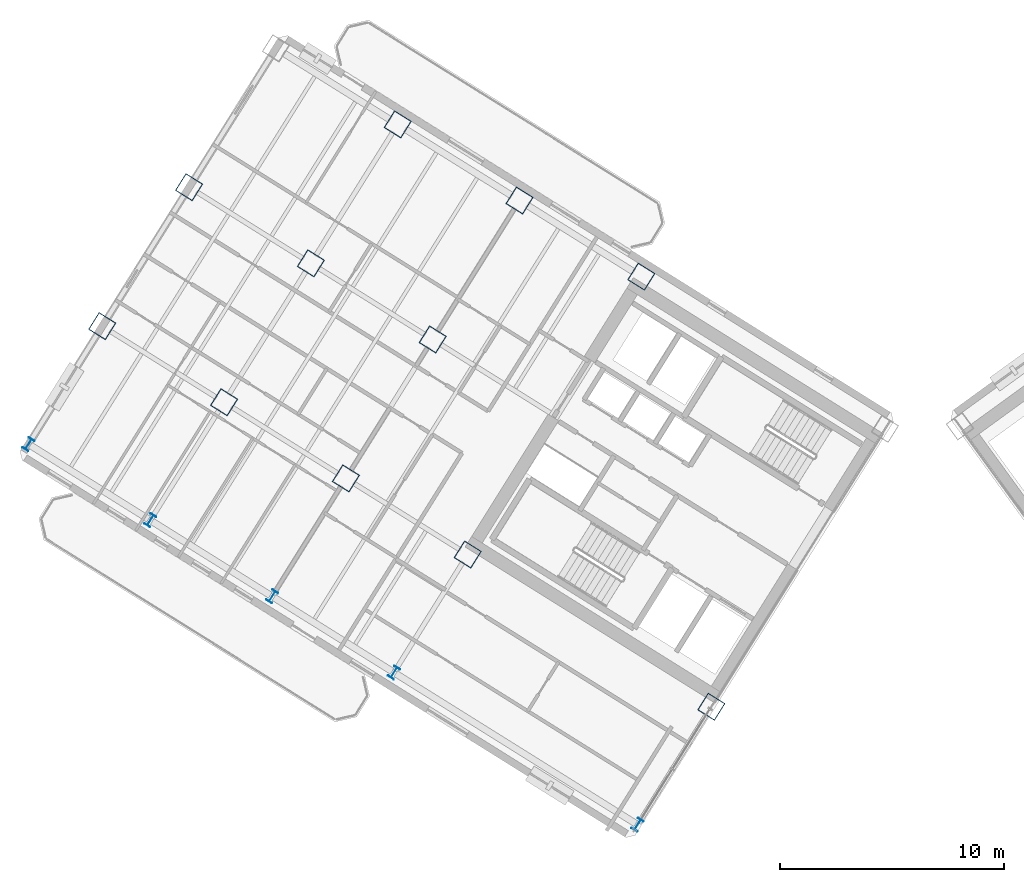
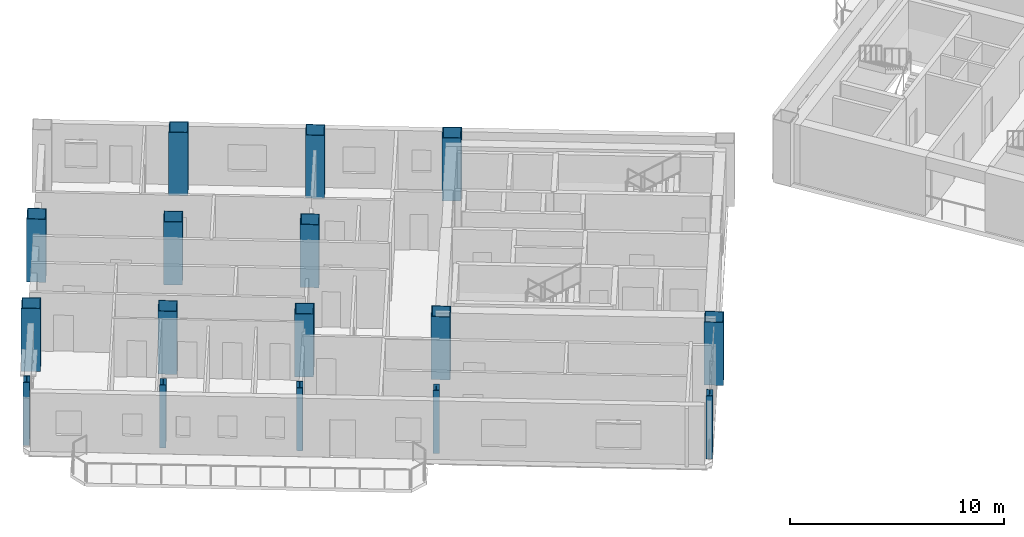
# One storey, part 1 of 19: 16 columns.
"""IFC4 building model written with IfcOpenShell, lengths in metres."""

import ifcopenshell
import ifcopenshell.guid

model = None  # the IFC model being written
_history = None  # IfcOwnerHistory: only IFC2X3 demands one
_inside = {}  # id of a spatial element -> (the spatial element, [elements in it])
_under = {}  # id of a project, library or spatial element -> (it, [spatial elements below it])
_declared = {}  # id of a project -> (the project, [libraries it declares])
_typed = {}  # id of a type object -> (the type object, [elements of that type])
_made_of = {}  # id of a material, layer set ... -> (it, [elements and type objects made of it])


def new_model(schema):
    """Start an empty IFC model of exactly this schema.

    Asked for "IFC4X3", IfcOpenShell would pick the latest addendum, in which some entities
    have other attributes; the version numbers below select the first issue.
    IFC2X3 requires an IfcOwnerHistory on every rooted entity: one is made here for all.
    """
    global model, _history
    if schema == "IFC4X3":
        model = ifcopenshell.file(schema_version=(4, 3, 0, 0))
    else:
        model = ifcopenshell.file(schema=schema)
    _inside.clear()
    _under.clear()
    _declared.clear()
    _typed.clear()
    _made_of.clear()
    _history = None
    if model.schema == "IFC2X3":
        org = make("IfcOrganization", Name="unknown")
        user = make(
            "IfcPersonAndOrganization",
            ThePerson=make("IfcPerson", FamilyName="unknown"),
            TheOrganization=org,
        )
        app = make(
            "IfcApplication",
            ApplicationDeveloper=org,
            Version="unknown",
            ApplicationFullName="unknown",
            ApplicationIdentifier="unknown",
        )
        _history = make(
            "IfcOwnerHistory",
            OwningUser=user,
            OwningApplication=app,
            ChangeAction="ADDED",
            CreationDate=0,
        )
    return model


def make(cls, **values):
    """One entity of the class cls with the attributes given. An attribute that is None is left unset."""
    return model.create_entity(
        cls, **{name: value for name, value in values.items() if value is not None}
    )


def rooted(cls, **values):
    """An entity with a GlobalId (a new one), such as an element, a storey or a relation."""
    return make(cls, GlobalId=ifcopenshell.guid.new(), OwnerHistory=_history, **values)


def si_unit(unit_type, name, prefix=None):
    """IfcSIUnit, for example si_unit("LENGTHUNIT", "METRE", prefix="MILLI")."""
    return make("IfcSIUnit", UnitType=unit_type, Prefix=prefix, Name=name)


def assignment(units):
    """IfcUnitAssignment: the units of a project."""
    return None if units is None else make("IfcUnitAssignment", Units=units)


def point(xyz):
    """IfcCartesianPoint."""
    return None if xyz is None else make("IfcCartesianPoint", Coordinates=xyz)


def direction(xyz):
    """IfcDirection."""
    return None if xyz is None else make("IfcDirection", DirectionRatios=xyz)


def frame(location, z_axis=None, x_axis=None):
    """IfcAxis2Placement3D, a coordinate frame: its origin and axes. An axis left out is left unset."""
    return make(
        "IfcAxis2Placement3D",
        Location=point(location),
        Axis=direction(z_axis),
        RefDirection=direction(x_axis),
    )


def frame_2d(location, x_axis=None):
    """IfcAxis2Placement2D, a coordinate frame in the plane: its origin and x axis."""
    return make(
        "IfcAxis2Placement2D", Location=point(location), RefDirection=direction(x_axis)
    )


def origin():
    """The frame at (0, 0, 0) with its axes left unset."""
    return frame((0.0, 0.0, 0.0))


def origin_2d():
    """The frame at (0, 0) in the plane with its x axis left unset."""
    return frame_2d((0.0, 0.0))


def place(relative_to, where):
    """IfcLocalPlacement: puts the frame where relative to a parent placement (None: the world)."""
    return make(
        "IfcLocalPlacement", PlacementRelTo=relative_to, RelativePlacement=where
    )


def context(
    kind, dimensions, precision=None, world=None, true_north=None, identifier=None
):
    """IfcGeometricRepresentationContext, for example the 3D "Model" context."""
    return make(
        "IfcGeometricRepresentationContext",
        ContextIdentifier=identifier,
        ContextType=kind,
        CoordinateSpaceDimension=dimensions,
        Precision=precision,
        WorldCoordinateSystem=world,
        TrueNorth=true_north,
    )


def subcontext(parent, identifier, kind, view, scale=None):
    """IfcGeometricRepresentationSubContext, for example "Body" below "Model"."""
    return make(
        "IfcGeometricRepresentationSubContext",
        ContextIdentifier=identifier,
        ContextType=kind,
        ParentContext=parent,
        TargetScale=scale,
        TargetView=view,
    )


def project(units=None, contexts=None):
    """IfcProject with its units and contexts."""
    return rooted(
        "IfcProject",
        Name="project",
        RepresentationContexts=contexts,
        UnitsInContext=assignment(units),
    )


def spatial(cls, under=None, at=None, **own):
    """A site, building, storey or space (cls), placed at a placement, below another one or the project."""
    s = rooted(cls, ObjectPlacement=at, **own)
    if under is not None:
        _under.setdefault(under.id(), (under, []))[1].append(s)
    return s


def profile(cls, at=None, kind="AREA", **sizes):
    """A parametric profile (cls). Its sizes go by their IFC names, for example OverallWidth=200.0."""
    return make(cls, ProfileType=kind, Position=at, **sizes)


def hollow_rectangle(**sizes):
    """IfcRectangleHollowProfileDef."""
    return profile("IfcRectangleHollowProfileDef", **sizes)


def i_section(**sizes):
    """IfcIShapeProfileDef."""
    return profile("IfcIShapeProfileDef", **sizes)


def extrude(swept, where, along, depth):
    """IfcExtrudedAreaSolid: the profile swept, set in the frame where, extruded along a direction by depth."""
    return make(
        "IfcExtrudedAreaSolid",
        SweptArea=swept,
        Position=where,
        ExtrudedDirection=direction(along),
        Depth=depth,
    )


def shape(context_of_items, identifier, shape_type, items):
    """IfcShapeRepresentation: the items that make up one representation, for example the "Body"."""
    return make(
        "IfcShapeRepresentation",
        ContextOfItems=context_of_items,
        RepresentationIdentifier=identifier,
        RepresentationType=shape_type,
        Items=items,
    )


def source(mapping_origin, context_of_items, identifier, shape_type, items):
    """IfcRepresentationMap: a shape defined once, which mapped items show again and again."""
    return make(
        "IfcRepresentationMap",
        MappingOrigin=mapping_origin,
        MappedRepresentation=shape(context_of_items, identifier, shape_type, items),
    )


def transform(
    local_origin,
    x_axis=None,
    y_axis=None,
    z_axis=None,
    scale=None,
    scale2=None,
    scale3=None,
    uniform=True,
):
    """IfcCartesianTransformationOperator3D, or its non-uniform kind. x_axis, y_axis, z_axis: its Axis1, 2, 3."""
    if uniform:
        return make(
            "IfcCartesianTransformationOperator3D",
            Axis1=direction(x_axis),
            Axis2=direction(y_axis),
            LocalOrigin=point(local_origin),
            Scale=scale,
            Axis3=direction(z_axis),
        )
    return make(
        "IfcCartesianTransformationOperator3DnonUniform",
        Axis1=direction(x_axis),
        Axis2=direction(y_axis),
        LocalOrigin=point(local_origin),
        Scale=scale,
        Axis3=direction(z_axis),
        Scale2=scale2,
        Scale3=scale3,
    )


def mapped(mapping_source, mapping_target):
    """IfcMappedItem: shows the shape of a source again, moved by a transform."""
    return make(
        "IfcMappedItem", MappingSource=mapping_source, MappingTarget=mapping_target
    )


def material(Name=None, Category=None):
    """IfcMaterial."""
    return make("IfcMaterial", Name=Name, Category=Category)


def material_profile(
    of_material, cross_section, Name=None, Category=None, Priority=None
):
    """IfcMaterialProfile: a cross section and its material."""
    return make(
        "IfcMaterialProfile",
        Name=Name,
        Material=of_material,
        Profile=cross_section,
        Priority=Priority,
        Category=Category,
    )


def profile_set(profiles, Name=None, composite=None):
    """IfcMaterialProfileSet."""
    return make(
        "IfcMaterialProfileSet",
        Name=Name,
        MaterialProfiles=profiles,
        CompositeProfile=composite,
    )


def made_of(thing, what):
    """Note that an element or type object is made of a material, layer set ...; save() writes the relation."""
    if what is not None:
        _made_of.setdefault(what.id(), (what, []))[1].append(thing)
    return thing


def type_object(cls, material=None, **own):
    """A type object (cls), such as IfcWallType, which elements share."""
    return made_of(rooted(cls, **own), material)


def element(
    cls,
    number,
    at=None,
    inside=None,
    cuts=None,
    type_object=None,
    material=None,
    context=None,
    identifier="Body",
    shape_type=None,
    held_by="IfcProductDefinitionShape",
    body=None,
    shapes=None,
    **own,
):
    """One element of the class cls, such as IfcWall. Its Tag is "e" and its number.

    at: its placement. inside: the storey or other place that contains it. cuts: it is an
    opening in that element (IfcRelVoidsElement). A single representation is given by context,
    identifier, shape_type and body (its items); several are given by shapes. held_by: the class
    of the entity that holds the representations. save() writes the other relations.
    """
    e = rooted(cls, Tag="e%d" % number, ObjectPlacement=at, **own)
    if body is not None:
        shapes = [shape(context, identifier, shape_type, body)]
    if shapes is not None:
        e.Representation = make(held_by, Representations=shapes)
    if inside is not None:
        _inside.setdefault(inside.id(), (inside, []))[1].append(e)
    if cuts is not None:
        rooted(
            "IfcRelVoidsElement", RelatingBuildingElement=cuts, RelatedOpeningElement=e
        )
    if type_object is not None:
        _typed.setdefault(type_object.id(), (type_object, []))[1].append(e)
    return made_of(e, material)


def aggregate(whole, parts):
    """IfcRelAggregates: a whole, such as a stair, and the parts it consists of."""
    return rooted("IfcRelAggregates", RelatingObject=whole, RelatedObjects=parts)


def save(model, path):
    """Write the relations noted so far, then the file.

    IfcRelAggregates (storeys below a building ...), IfcRelContainedInSpatialStructure (elements
    in a storey), IfcRelDefinesByType, IfcRelAssociatesMaterial and IfcRelDeclares: one each for
    every whole, place, type object, material and project.
    """
    for whole, parts in _under.values():
        aggregate(whole, parts)
    for where, things in _inside.values():
        rooted(
            "IfcRelContainedInSpatialStructure",
            RelatedElements=things,
            RelatingStructure=where,
        )
    for kind, things in _typed.values():
        rooted("IfcRelDefinesByType", RelatedObjects=things, RelatingType=kind)
    for what, things in _made_of.values():
        rooted("IfcRelAssociatesMaterial", RelatedObjects=things, RelatingMaterial=what)
    for by, libraries in _declared.values():
        rooted("IfcRelDeclares", RelatingContext=by, RelatedDefinitions=libraries)
    model.write(path)


model = new_model("IFC4")

# Units and contexts
model_context = context("Model", 3, precision=1e-05, world=origin(), true_north=direction((0.0, 1.0)))
body_context = subcontext(model_context, "Body", "Model", "MODEL_VIEW")
ifc_project = project(units=[si_unit("LENGTHUNIT", "METRE"), si_unit("AREAUNIT", "SQUARE_METRE"), si_unit("VOLUMEUNIT", "CUBIC_METRE"), si_unit("PLANEANGLEUNIT", "RADIAN"), si_unit("MASSUNIT", "GRAM", prefix="KILO")], contexts=[model_context])

# Site, building, storey
site_placement = place(None, origin())
site = spatial("IfcSite", under=ifc_project, at=site_placement, CompositionType="ELEMENT")
building_placement = place(site_placement, origin())
building = spatial("IfcBuilding", under=site, at=building_placement, Name="Tlacorven Tower", CompositionType="ELEMENT")
storey_placement = place(building_placement, frame((0.0, 0.0, 147.89990234375)))
storey = spatial("IfcBuildingStorey", under=building, at=storey_placement, Name="L37", CompositionType="ELEMENT", Elevation=147.89990234375)

# Columns
ifc_material = material(Name="Steel S460M", Category="steel")
ifc_material_profile_1 = material_profile(ifc_material, hollow_rectangle(XDim=0.89990234375, YDim=0.89990234375, WallThickness=0.035888671875, at=origin_2d()), Name="BOX 900X900X36")
ifc_profile_set_1 = profile_set([ifc_material_profile_1], Name="Steel S460M")
column_type_1 = type_object("IfcColumnType", Name="COL-TWR-S2", PredefinedType="COLUMN", material=ifc_profile_set_1)
shared_shape_1 = source(origin(), body_context, "Body", "SweptSolid", [
    extrude(hollow_rectangle(XDim=0.89990234375, YDim=0.89990234375, WallThickness=0.035888671875, at=origin_2d()), origin(), (0.0, 0.0, 1.0), 3.60009765625),
])
for number, where, z_axis, x_axis, name in (
    (1, (33.046142578125, 12.0869140625, 0.0), (0.0, 0.0, 1.0), (-0.848048096156, 0.529919264233, 0.0), "L37 column COL-L37-W1-3"),
    (2, (29.927978515625, 31.25146484375, 0.0), (0.0, 0.0, 1.0), (-0.848048096156, 0.529919264233, 0.0), "L37 column COL-L37-W3-1"),
    (3, (22.191162109375, 18.869873046875, 0.0), (0.0, 0.0, 1.0), (-0.848048096156, 0.529919264233, 0.0), "L37 column COL-L37-W3-3"),
    (4, (24.50048828125, 34.642822265625, 0.0), (0.0, 0.0, 1.0), (-0.848048096156, 0.529919264233, 0.0), "L37 column COL-L37-W4-1"),
    (5, (20.632080078125, 28.4521484375, 0.0), (0.0, 0.0, 1.0), (-0.848048096156, 0.529919264233, 0.0), "L37 column COL-L37-W4-2"),
    (6, (16.763671875, 22.26123046875, 0.0), (0.0, 0.0, 1.0), (-0.848048096156, 0.529919264233, 0.0), "L37 column COL-L37-W4-3"),
    (7, (19.072998046875, 38.034423828125, 0.0), (0.0, 0.0, 1.0), (-0.848048096156, 0.529919264233, 0.0), "L37 column COL-L37-W5-1"),
    (8, (15.20458984375, 31.843505859375, 0.0), (0.0, 0.0, 1.0), (-0.848048096156, 0.529919264233, 0.0), "L37 column COL-L37-W5-2"),
    (9, (11.336181640625, 25.65283203125, 0.0), (0.0, 0.0, 1.0), (-0.848048096156, 0.529919264233, 0.0), "L37 column COL-L37-W5-3"),
    (10, (9.777099609375, 35.235107421875, 0.0), (0.0, 0.0, 1.0), (-0.848048096156, 0.529919264233, 0.0), "L37 column COL-L37-W6-2"),
    (11, (5.90869140625, 29.044189453125, 0.0), (0.0, 0.0, 1.0), (-0.848048096156, 0.529919264233, 0.0), "L37 column COL-L37-W6-3"),
):
    element("IfcColumn", number, at=place(storey_placement, frame(where, z_axis=z_axis, x_axis=x_axis)), inside=storey, type_object=column_type_1, Name=name, PredefinedType="COLUMN", context=body_context, shape_type="MappedRepresentation", body=[
        mapped(shared_shape_1, transform((0.0, 0.0, 0.0), scale=1.0)),
    ])
ifc_material_profile_2 = material_profile(ifc_material, i_section(OverallWidth=0.300048828125, OverallDepth=0.550048828125, WebThickness=0.014892578125, FlangeThickness=0.029052734375, at=origin_2d()), Name="HEB 550")
ifc_profile_set_2 = profile_set([ifc_material_profile_2], Name="Steel S460M")
column_type_2 = type_object("IfcColumnType", Name="COL-TWR-P2", PredefinedType="COLUMN", material=ifc_profile_set_2)
shared_shape_2 = source(origin(), body_context, "Body", "SweptSolid", [
    extrude(i_section(OverallWidth=0.300048828125, OverallDepth=0.550048828125, WebThickness=0.014892578125, FlangeThickness=0.029052734375, at=origin_2d()), origin(), (0.0, 0.0, 1.0), 3.60009765625),
])
for number, where, z_axis, x_axis, name in (
    (12, (29.7607421875, 6.8291015625, 0.0), (0.0, 0.0, 1.0), (-0.848048096156, 0.529919264233, 0.0), "L37 column COL-L37-W1-4"),
    (13, (18.905517578125, 13.612060546875, 0.0), (0.0, 0.0, 1.0), (-0.848048096156, 0.529919264233, 0.0), "L37 column COL-L37-W3-4"),
    (14, (13.47802734375, 17.00341796875, 0.0), (0.0, 0.0, 1.0), (-0.848048096156, 0.529919264233, 0.0), "L37 column COL-L37-W4-4"),
    (15, (8.050537109375, 20.39501953125, 0.0), (0.0, 0.0, 1.0), (-0.848048096156, 0.529919264233, 0.0), "L37 column COL-L37-W5-4"),
    (16, (2.623046875, 23.786376953125, 0.0), (0.0, 0.0, 1.0), (-0.848048096156, 0.529919264233, 0.0), "L37 column COL-L37-W6-4"),
):
    element("IfcColumn", number, at=place(storey_placement, frame(where, z_axis=z_axis, x_axis=x_axis)), inside=storey, type_object=column_type_2, Name=name, PredefinedType="COLUMN", context=body_context, shape_type="MappedRepresentation", body=[
        mapped(shared_shape_2, transform((0.0, 0.0, 0.0), scale=1.0)),
    ])

save(model, "model.ifc")
